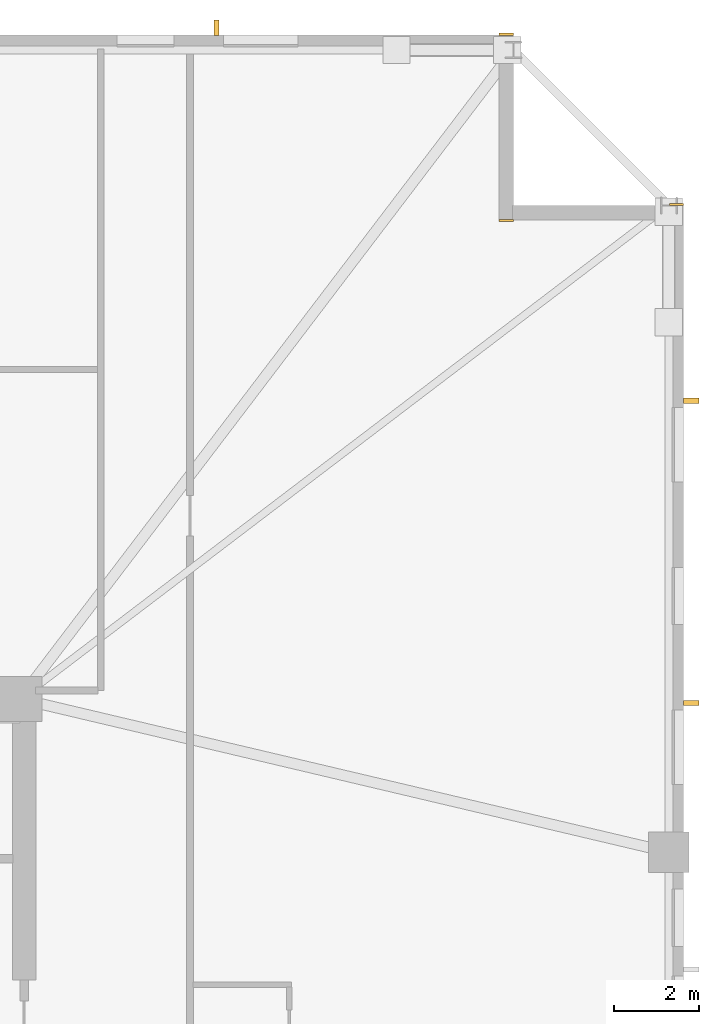
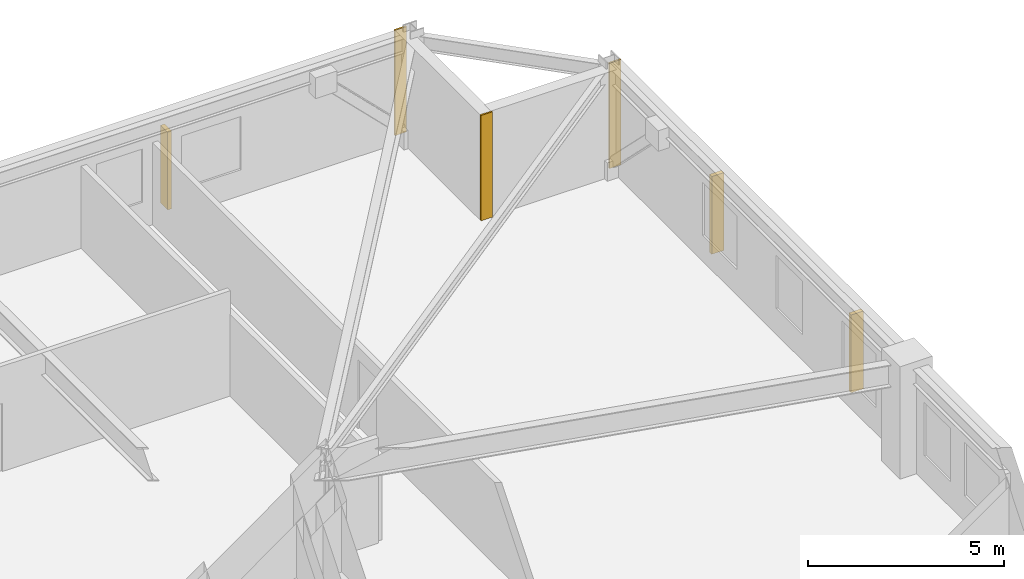
# One storey, part 11 of 11: 3 coverings, 3 shading devices.
"""IFC4 building model written with IfcOpenShell, lengths in metres."""

from ifc_helpers import new_model, si_unit, direction, frame, frame_2d, origin, origin_2d, place, context, subcontext, project, spatial, rectangle, extrude, material, layer, layer_set, type_object, element, save


model = new_model("IFC4")

# Units and contexts
model_context = context("Model", 3, precision=1e-05, world=origin(), true_north=direction((0.0, 1.0)))
body_context = subcontext(model_context, "Body", "Model", "MODEL_VIEW")
ifc_project = project(units=[si_unit("LENGTHUNIT", "METRE"), si_unit("AREAUNIT", "SQUARE_METRE"), si_unit("VOLUMEUNIT", "CUBIC_METRE"), si_unit("PLANEANGLEUNIT", "RADIAN"), si_unit("MASSUNIT", "GRAM", prefix="KILO")], contexts=[model_context])

# Site, building, storey
site_placement = place(None, origin())
site = spatial("IfcSite", under=ifc_project, at=site_placement, CompositionType="ELEMENT")
building_placement = place(site_placement, origin())
building = spatial("IfcBuilding", under=site, at=building_placement, Name="Cairnveth Concourse Tower", CompositionType="ELEMENT")
storey_placement = place(building_placement, frame((0.0, 0.0, 116.5)))
storey = spatial("IfcBuildingStorey", under=building, at=storey_placement, Name="L31", CompositionType="ELEMENT", Elevation=116.5)

# Coverings
ifc_material_1 = material(Name="Dressed Melbourne Bluestone Cladding", Category="masonry")
ifc_layer = layer(ifc_material_1, 0.050048828125)
ifc_layer_set = layer_set([ifc_layer], Name="Dressed Melbourne Bluestone Cladding")
covering_type = type_object("IfcCoveringType", Name="DRESSED BLUESTONE PLINTH CLADDING 50", PredefinedType="CLADDING", material=ifc_layer_set)
for number, where, z_axis, x_axis, name in (
    (1, (71.659912109375, 63.02001953125, 0.0), (0.0, 0.0, 1.0), (1.0, 0.0, 0.0), "Melbourne Bluestone Corner Quoin L31-439"),
    (2, (71.659912109375, 58.639892578125, 0.0), (0.0, 0.0, 1.0), (1.0, 0.0, 0.0), "Melbourne Bluestone Corner Quoin L31-440"),
    (3, (75.659912109375, 59.02001953125, 0.0), (0.0, 0.0, 1.0), (1.0, 0.0, 0.0), "Melbourne Bluestone Corner Quoin L31-441"),
):
    element("IfcCovering", number, at=place(storey_placement, frame(where, z_axis=z_axis, x_axis=x_axis)), inside=storey, type_object=covering_type, Name=name, PredefinedType="CLADDING", context=body_context, shape_type="SweptSolid", body=[
        extrude(rectangle(XDim=0.340087890625, YDim=0.050048828125, at=frame_2d((0.169921875, 0.0))), origin(), (0.0, 0.0, 1.0), 3.280029296875),
    ])

# Shading devices
ifc_material_2 = material(Name="Architectural Bronze Anodised Aluminium 6063-T6", Category="aluminium")
shading_device_type = type_object("IfcShadingDeviceType", Name="GOTHIC BRONZE VERTICAL LANCET FIN", PredefinedType="USERDEFINED", material=ifc_material_2)
for number, where, z_axis, x_axis, name in (
    (4, (65.020263671875, 63.175048828125, 0.030029296875), (0.0, 0.0, 1.0), (1.0, 0.0, 0.0), "Gothic Bronze Vertical Fin L31-3-9"),
    (5, (76.175048828125, 54.408203125, 0.030029296875), (0.0, 0.0, 1.0), (0.0, 1.0, 0.0), "Gothic Bronze Vertical Fin L31-6-1"),
    (6, (76.175048828125, 47.301025390625, 0.030029296875), (0.0, 0.0, 1.0), (0.0, 1.0, 0.0), "Gothic Bronze Vertical Fin L31-6-3"),
):
    element("IfcShadingDevice", number, at=place(storey_placement, frame(where, z_axis=z_axis, x_axis=x_axis)), inside=storey, type_object=shading_device_type, Name=name, ObjectType="VERTICAL FIN", PredefinedType="USERDEFINED", context=body_context, shape_type="SweptSolid", body=[
        extrude(rectangle(XDim=0.1201171875, YDim=0.360107421875, at=origin_2d()), origin(), (0.0, 0.0, 1.0), 2.419921875),
    ])

save(model, "model.ifc")
